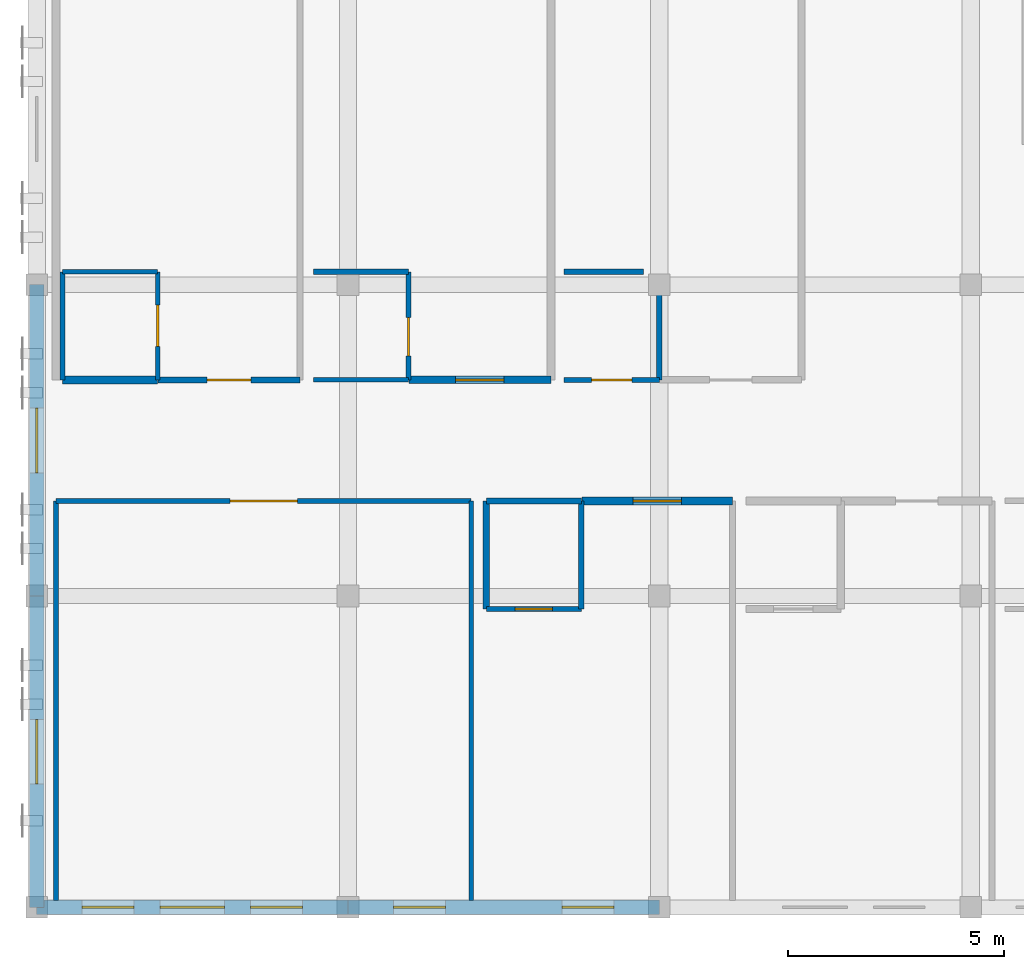
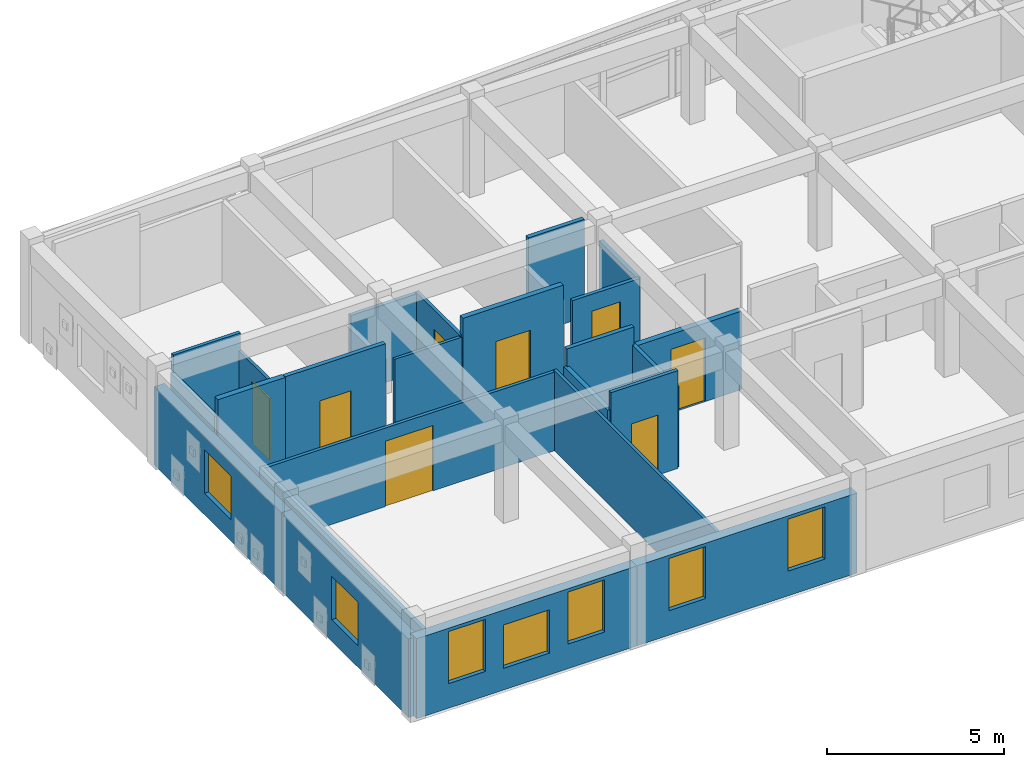
# One storey, part 25 of 34: 24 walls, 8 doors, 7 windows, 15 openings.
"""IFC4 building model written with IfcOpenShell, lengths in metres."""

from ifc_helpers import new_model, si_unit, direction, frame, frame_2d, origin, place, context, subcontext, project, spatial, rectangle, extrude, material, layer, layer_set, type_object, element, fill, save


model = new_model("IFC4")

# Units and contexts
model_context = context("Model", 3, precision=1e-05, world=origin(), true_north=direction((0.0, 1.0)))
body_context = subcontext(model_context, "Body", "Model", "MODEL_VIEW")
ifc_project = project(units=[si_unit("LENGTHUNIT", "METRE"), si_unit("AREAUNIT", "SQUARE_METRE"), si_unit("VOLUMEUNIT", "CUBIC_METRE"), si_unit("PLANEANGLEUNIT", "RADIAN"), si_unit("MASSUNIT", "GRAM", prefix="KILO")], contexts=[model_context])

# Site, building, storey
site_placement = place(None, origin())
site = spatial("IfcSite", under=ifc_project, at=site_placement, CompositionType="ELEMENT")
building_placement = place(site_placement, origin())
building = spatial("IfcBuilding", under=site, at=building_placement, Name="Carrowvane Square Congress Hotel", CompositionType="ELEMENT")
storey_placement = place(building_placement, frame((0.0, 0.0, 40.800048828125)))
storey = spatial("IfcBuildingStorey", under=building, at=storey_placement, Name="L10", CompositionType="ELEMENT", Elevation=40.800048828125)

# Wall, openings, windows
ifc_material_1 = material(Name="Glazed terracotta rainscreen", Category="masonry")
ifc_layer_1 = layer(ifc_material_1, 0.330078125)
ifc_layer_set_1 = layer_set([ifc_layer_1], Name="Glazed terracotta rainscreen")
wall_type_1 = type_object("IfcWallType", Name="WL-EXT-TC330", PredefinedType="STANDARD", material=ifc_layer_set_1)
wall_1_placement = place(storey_placement, frame((47.60009765625, 91.800048828125, 0.0), z_axis=(0.0, 0.0, 1.0), x_axis=(-1.0, 0.0, 0.0)))
wall_1 = element("IfcWall", 1, at=wall_1_placement, inside=storey, type_object=wall_type_1, Name="L10 exterior facade wall 599", PredefinedType="STANDARD", context=body_context, shape_type="SweptSolid", body=[
    extrude(rectangle(XDim=7.2001953125, YDim=0.330078125, at=frame_2d((3.60009765625, 0.0))), origin(), (0.0, 0.0, 1.0), 2.764892578125),
])
opening_1_placement = place(wall_1_placement, frame((1.050048828125, 0.0, 0.85009765625)))
opening_1 = element("IfcOpeningElement", 2, at=opening_1_placement, cuts=wall_1, Name="Opening W-01", PredefinedType="OPENING", context=body_context, shape_type="SweptSolid", body=[
    extrude(rectangle(XDim=1.199951171875, YDim=1.800048828125, at=frame_2d((0.60009765625, 0.89990234375))), frame((0.0, 0.175048828125, 0.0), z_axis=(0.0, -1.0, 0.0), x_axis=(1.0, 0.0, 0.0)), (0.0, 0.0, 1.0), 0.35009765625),
])
opening_2_placement = place(wall_1_placement, frame((4.949951171875, 0.0, 0.85009765625)))
opening_2 = element("IfcOpeningElement", 3, at=opening_2_placement, cuts=wall_1, Name="Opening W-01", PredefinedType="OPENING", context=body_context, shape_type="SweptSolid", body=[
    extrude(rectangle(XDim=1.199951171875, YDim=1.800048828125, at=frame_2d((0.60009765625, 0.89990234375))), frame((0.0, 0.175048828125, 0.0), z_axis=(0.0, -1.0, 0.0), x_axis=(1.0, 0.0, 0.0)), (0.0, 0.0, 1.0), 0.35009765625),
])
ifc_material_2 = material(Name="Double-glazed low-E glass", Category="glass")
window_type_1 = type_object("IfcWindowType", Name="WIN-01", PartitioningType="SINGLE_PANEL", PredefinedType="WINDOW", material=ifc_material_2)
window_1_placement = place(opening_1_placement, origin())
window_1 = element("IfcWindow", 4, at=window_1_placement, inside=storey, type_object=window_type_1, Name="L10 guest bedroom window 489", OverallHeight=1.800048828125, OverallWidth=1.199951171875, PartitioningType="SINGLE_PANEL", PredefinedType="WINDOW", context=body_context, shape_type="SweptSolid", body=[
    extrude(rectangle(XDim=1.199951171875, YDim=1.800048828125, at=frame_2d((0.60009765625, 0.89990234375))), frame((0.0, 0.030029296875, 0.0), z_axis=(0.0, -1.0, 0.0), x_axis=(1.0, 0.0, 0.0)), (0.0, 0.0, 1.0), 0.06005859375),
])
fill(opening_1, window_1)
window_2_placement = place(opening_2_placement, origin())
window_2 = element("IfcWindow", 5, at=window_2_placement, inside=storey, type_object=window_type_1, Name="L10 guest bedroom window 490", OverallHeight=1.800048828125, OverallWidth=1.199951171875, PartitioningType="SINGLE_PANEL", PredefinedType="WINDOW", context=body_context, shape_type="SweptSolid", body=[
    extrude(rectangle(XDim=1.199951171875, YDim=1.800048828125, at=frame_2d((0.60009765625, 0.89990234375))), frame((0.0, 0.030029296875, 0.0), z_axis=(0.0, -1.0, 0.0), x_axis=(1.0, 0.0, 0.0)), (0.0, 0.0, 1.0), 0.06005859375),
])
fill(opening_2, window_2)

wall_2_placement = place(storey_placement, frame((40.39990234375, 91.800048828125, 0.0), z_axis=(0.0, 0.0, 1.0), x_axis=(-1.0, 0.0, 0.0)))
wall_2 = element("IfcWall", 6, at=wall_2_placement, inside=storey, type_object=wall_type_1, Name="L10 exterior facade wall 600", PredefinedType="STANDARD", context=body_context, shape_type="SweptSolid", body=[
    extrude(rectangle(XDim=7.199951171875, YDim=0.330078125, at=frame_2d((3.60009765625, 0.0))), origin(), (0.0, 0.0, 1.0), 2.764892578125),
])
opening_3_placement = place(wall_2_placement, frame((2.85009765625, 0.0, 0.75)))
opening_3 = element("IfcOpeningElement", 7, at=opening_3_placement, cuts=wall_2, Name="Opening W-15", PredefinedType="OPENING", context=body_context, shape_type="SweptSolid", body=[
    extrude(rectangle(XDim=1.5, YDim=1.5, at=frame_2d((0.75, 0.75))), frame((0.0, 0.175048828125, 0.0), z_axis=(0.0, -1.0, 0.0), x_axis=(1.0, 0.0, 0.0)), (0.0, 0.0, 1.0), 0.35009765625),
])
opening_4_placement = place(wall_2_placement, frame((1.050048828125, 0.0, 0.85009765625)))
opening_4 = element("IfcOpeningElement", 8, at=opening_4_placement, cuts=wall_2, Name="Opening W-01", PredefinedType="OPENING", context=body_context, shape_type="SweptSolid", body=[
    extrude(rectangle(XDim=1.199951171875, YDim=1.800048828125, at=frame_2d((0.60009765625, 0.89990234375))), frame((0.0, 0.175048828125, 0.0), z_axis=(0.0, -1.0, 0.0), x_axis=(1.0, 0.0, 0.0)), (0.0, 0.0, 1.0), 0.35009765625),
])
opening_5_placement = place(wall_2_placement, frame((4.949951171875, 0.0, 0.85009765625)))
opening_5 = element("IfcOpeningElement", 9, at=opening_5_placement, cuts=wall_2, Name="Opening W-01", PredefinedType="OPENING", context=body_context, shape_type="SweptSolid", body=[
    extrude(rectangle(XDim=1.199951171875, YDim=1.800048828125, at=frame_2d((0.60009765625, 0.89990234375))), frame((0.0, 0.175048828125, 0.0), z_axis=(0.0, -1.0, 0.0), x_axis=(1.0, 0.0, 0.0)), (0.0, 0.0, 1.0), 0.35009765625),
])
window_3_placement = place(opening_4_placement, origin())
window_3 = element("IfcWindow", 10, at=window_3_placement, inside=storey, type_object=window_type_1, Name="L10 guest bedroom window 492", OverallHeight=1.800048828125, OverallWidth=1.199951171875, PartitioningType="SINGLE_PANEL", PredefinedType="WINDOW", context=body_context, shape_type="SweptSolid", body=[
    extrude(rectangle(XDim=1.199951171875, YDim=1.800048828125, at=frame_2d((0.60009765625, 0.89990234375))), frame((0.0, 0.030029296875, 0.0), z_axis=(0.0, -1.0, 0.0), x_axis=(1.0, 0.0, 0.0)), (0.0, 0.0, 1.0), 0.06005859375),
])
fill(opening_4, window_3)
window_4_placement = place(opening_5_placement, origin())
window_4 = element("IfcWindow", 11, at=window_4_placement, inside=storey, type_object=window_type_1, Name="L10 guest bedroom window 493", OverallHeight=1.800048828125, OverallWidth=1.199951171875, PartitioningType="SINGLE_PANEL", PredefinedType="WINDOW", context=body_context, shape_type="SweptSolid", body=[
    extrude(rectangle(XDim=1.199951171875, YDim=1.800048828125, at=frame_2d((0.60009765625, 0.89990234375))), frame((0.0, 0.030029296875, 0.0), z_axis=(0.0, -1.0, 0.0), x_axis=(1.0, 0.0, 0.0)), (0.0, 0.0, 1.0), 0.06005859375),
])
fill(opening_5, window_4)
ifc_material_3 = material(Name="Double-glazed low-E glass", Category="glass")
window_type_2 = type_object("IfcWindowType", Name="WIN-15", PartitioningType="SINGLE_PANEL", PredefinedType="WINDOW", material=ifc_material_3)
window_5_placement = place(opening_3_placement, origin())
window_5 = element("IfcWindow", 12, at=window_5_placement, inside=storey, type_object=window_type_2, Name="L10 facade window 491", OverallHeight=1.5, OverallWidth=1.5, PartitioningType="SINGLE_PANEL", PredefinedType="WINDOW", context=body_context, shape_type="SweptSolid", body=[
    extrude(rectangle(XDim=1.5, YDim=1.5, at=frame_2d((0.75, 0.75))), frame((0.0, 0.030029296875, 0.0), z_axis=(0.0, -1.0, 0.0), x_axis=(1.0, 0.0, 0.0)), (0.0, 0.0, 1.0), 0.06005859375),
])
fill(opening_3, window_5)

# Wall, opening, window
wall_3_placement = place(storey_placement, frame((33.199951171875, 91.800048828125, 0.0), z_axis=(0.0, 0.0, 1.0), x_axis=(0.0, 1.0, 0.0)))
wall_3 = element("IfcWall", 13, at=wall_3_placement, inside=storey, type_object=wall_type_1, Name="L10 exterior facade wall 601", PredefinedType="STANDARD", context=body_context, shape_type="SweptSolid", body=[
    extrude(rectangle(XDim=7.199951171875, YDim=0.330078125, at=frame_2d((3.60009765625, 0.0))), origin(), (0.0, 0.0, 1.0), 2.71484375),
])
opening_6_placement = place(wall_3_placement, frame((2.85009765625, 0.0, 0.75)))
opening_6 = element("IfcOpeningElement", 14, at=opening_6_placement, cuts=wall_3, Name="Opening W-15", PredefinedType="OPENING", context=body_context, shape_type="SweptSolid", body=[
    extrude(rectangle(XDim=1.5, YDim=1.5, at=frame_2d((0.75, 0.75))), frame((0.0, 0.175048828125, 0.0), z_axis=(0.0, -1.0, 0.0), x_axis=(1.0, 0.0, 0.0)), (0.0, 0.0, 1.0), 0.35009765625),
])
window_6_placement = place(opening_6_placement, origin())
window_6 = element("IfcWindow", 15, at=window_6_placement, inside=storey, type_object=window_type_2, Name="L10 facade window 494", OverallHeight=1.5, OverallWidth=1.5, PartitioningType="SINGLE_PANEL", PredefinedType="WINDOW", context=body_context, shape_type="SweptSolid", body=[
    extrude(rectangle(XDim=1.5, YDim=1.5, at=frame_2d((0.75, 0.75))), frame((0.0, 0.030029296875, 0.0), z_axis=(0.0, -1.0, 0.0), x_axis=(1.0, 0.0, 0.0)), (0.0, 0.0, 1.0), 0.06005859375),
])
fill(opening_6, window_6)

wall_4_placement = place(storey_placement, frame((33.199951171875, 99.0, 0.0), z_axis=(0.0, 0.0, 1.0), x_axis=(0.0, 1.0, 0.0)))
wall_4 = element("IfcWall", 16, at=wall_4_placement, inside=storey, type_object=wall_type_1, Name="L10 exterior facade wall 602", PredefinedType="STANDARD", context=body_context, shape_type="SweptSolid", body=[
    extrude(rectangle(XDim=7.199951171875, YDim=0.330078125, at=frame_2d((3.60009765625, 0.0))), origin(), (0.0, 0.0, 1.0), 2.71484375),
])
opening_7_placement = place(wall_4_placement, frame((2.85009765625, 0.0, 0.75)))
opening_7 = element("IfcOpeningElement", 17, at=opening_7_placement, cuts=wall_4, Name="Opening W-15", PredefinedType="OPENING", context=body_context, shape_type="SweptSolid", body=[
    extrude(rectangle(XDim=1.5, YDim=1.5, at=frame_2d((0.75, 0.75))), frame((0.0, 0.175048828125, 0.0), z_axis=(0.0, -1.0, 0.0), x_axis=(1.0, 0.0, 0.0)), (0.0, 0.0, 1.0), 0.35009765625),
])
window_7_placement = place(opening_7_placement, origin())
window_7 = element("IfcWindow", 18, at=window_7_placement, inside=storey, type_object=window_type_2, Name="L10 facade window 495", OverallHeight=1.5, OverallWidth=1.5, PartitioningType="SINGLE_PANEL", PredefinedType="WINDOW", context=body_context, shape_type="SweptSolid", body=[
    extrude(rectangle(XDim=1.5, YDim=1.5, at=frame_2d((0.75, 0.75))), frame((0.0, 0.030029296875, 0.0), z_axis=(0.0, -1.0, 0.0), x_axis=(1.0, 0.0, 0.0)), (0.0, 0.0, 1.0), 0.06005859375),
])
fill(opening_7, window_7)

# Wall, opening, door
ifc_material_4 = material(Name="Acoustic gypsum board", Category="gypsum")
ifc_layer_2 = layer(ifc_material_4, 0.169921875)
ifc_layer_set_2 = layer_set([ifc_layer_2], Name="Acoustic gypsum board")
wall_type_2 = type_object("IfcWallType", Name="WL-FIR-170", PredefinedType="PARTITIONING", material=ifc_layer_set_2)
wall_5_placement = place(storey_placement, frame((45.090087890625, 104.0, 0.0), z_axis=(0.0, 0.0, 1.0), x_axis=(-1.0, 0.0, 0.0)))
wall_5 = element("IfcWall", 19, at=wall_5_placement, inside=storey, type_object=wall_type_2, Name="L10 Parkview Suite 1006 partition", PredefinedType="PARTITIONING", context=body_context, shape_type="SweptSolid", body=[
    extrude(rectangle(XDim=3.280029296875, YDim=0.169921875, at=frame_2d((1.64013671875, 0.0))), origin(), (0.0, 0.0, 1.0), 3.3798828125),
])
opening_8_placement = place(wall_5_placement, frame((1.080078125, 0.0, 0.0)))
opening_8 = element("IfcOpeningElement", 20, at=opening_8_placement, cuts=wall_5, Name="Opening FD-10", PredefinedType="OPENING", context=body_context, shape_type="SweptSolid", body=[
    extrude(rectangle(XDim=1.1201171875, YDim=2.199951171875, at=frame_2d((0.56005859375, 1.10009765625))), frame((0.0, 0.094970703125, 0.0), z_axis=(0.0, -1.0, 0.0), x_axis=(1.0, 0.0, 0.0)), (0.0, 0.0, 1.0), 0.18994140625),
])
ifc_material_5 = material(Name="European oak timber", Category="wood")
door_type_1 = type_object("IfcDoorType", Name="DR-FD30-1120x2200", OperationType="NOTDEFINED", PredefinedType="DOOR", material=ifc_material_5)
door_1_placement = place(opening_8_placement, origin())
door_1 = element("IfcDoor", 21, at=door_1_placement, inside=storey, type_object=door_type_1, Name="L10 Parkview Suite 1006 entrance door", OperationType="SINGLE_SWING_LEFT", OverallHeight=2.199951171875, OverallWidth=1.1201171875, PredefinedType="DOOR", context=body_context, shape_type="SweptSolid", body=[
    extrude(rectangle(XDim=1.1201171875, YDim=2.199951171875, at=frame_2d((0.56005859375, 1.10009765625))), frame((0.0, 0.02490234375, 0.0), z_axis=(0.0, -1.0, 0.0), x_axis=(1.0, 0.0, 0.0)), (0.0, 0.0, 1.0), 0.050048828125),
])
fill(opening_8, door_1)

ifc_material_6 = material(Name="Acoustic gypsum board", Category="gypsum")
ifc_layer_3 = layer(ifc_material_6, 0.18505859375)
ifc_layer_set_3 = layer_set([ifc_layer_3], Name="Acoustic gypsum board")
wall_type_3 = type_object("IfcWallType", Name="WL-FIR-185", PredefinedType="PARTITIONING", material=ifc_layer_set_3)
wall_6_placement = place(storey_placement, frame((45.81005859375, 101.199951171875, 0.0), z_axis=(0.0, 0.0, 1.0), x_axis=(1.0, 0.0, 0.0)))
wall_6 = element("IfcWall", 22, at=wall_6_placement, inside=storey, type_object=wall_type_3, Name="L10 Hotel Suite 1001 partition", PredefinedType="PARTITIONING", context=body_context, shape_type="SweptSolid", body=[
    extrude(rectangle(XDim=3.47998046875, YDim=0.18505859375, at=frame_2d((1.739990234375, 0.0))), origin(), (0.0, 0.0, 1.0), 2.71484375),
])
opening_9_placement = place(wall_6_placement, frame((1.179931640625, 0.0, 0.0)))
opening_9 = element("IfcOpeningElement", 23, at=opening_9_placement, cuts=wall_6, Name="Opening FD-10", PredefinedType="OPENING", context=body_context, shape_type="SweptSolid", body=[
    extrude(rectangle(XDim=1.1201171875, YDim=2.199951171875, at=frame_2d((0.56005859375, 1.10009765625))), frame((0.0, 0.1025390625, 0.0), z_axis=(0.0, -1.0, 0.0), x_axis=(1.0, 0.0, 0.0)), (0.0, 0.0, 1.0), 0.205078125),
])
door_2_placement = place(opening_9_placement, origin())
door_2 = element("IfcDoor", 24, at=door_2_placement, inside=storey, type_object=door_type_1, Name="L10 Hotel Suite 1001 entrance door", OperationType="SINGLE_SWING_LEFT", OverallHeight=2.199951171875, OverallWidth=1.1201171875, PredefinedType="DOOR", context=body_context, shape_type="SweptSolid", body=[
    extrude(rectangle(XDim=1.1201171875, YDim=2.199951171875, at=frame_2d((0.56005859375, 1.10009765625))), frame((0.0, 0.02490234375, 0.0), z_axis=(0.0, -1.0, 0.0), x_axis=(1.0, 0.0, 0.0)), (0.0, 0.0, 1.0), 0.050048828125),
])
fill(opening_9, door_2)

# Walls
wall_7_placement = place(storey_placement, frame((36.0, 104.0, 0.0), z_axis=(0.0, 0.0, 1.0), x_axis=(-1.0, 0.0, 0.0)))
element("IfcWall", 25, at=wall_7_placement, inside=storey, type_object=wall_type_3, Name="L10 En-suite Bathroom 1005 partition", PredefinedType="PARTITIONING", context=body_context, shape_type="SweptSolid", body=[
    extrude(rectangle(XDim=2.199951171875, YDim=0.18505859375, at=frame_2d((1.10009765625, 0.0))), origin(), (0.0, 0.0, 1.0), 3.3798828125),
])
ifc_material_7 = material(Name="Acoustic gypsum board", Category="gypsum")
ifc_layer_4 = layer(ifc_material_7, 0.097900390625)
ifc_layer_set_4 = layer_set([ifc_layer_4], Name="Acoustic gypsum board")
wall_type_4 = type_object("IfcWallType", Name="WL-PRT-098", PredefinedType="PARTITIONING", material=ifc_layer_set_4)
wall_8_placement = place(storey_placement, frame((43.25, 101.199951171875, 0.0), z_axis=(0.0, 0.0, 1.0), x_axis=(0.0, -1.0, 0.0)))
element("IfcWall", 26, at=wall_8_placement, inside=storey, type_object=wall_type_4, Name="L10 L10 Penthouse West Terrace Salon partition", PredefinedType="PARTITIONING", context=body_context, shape_type="SweptSolid", body=[
    extrude(rectangle(XDim=9.239990234375, YDim=0.097900390625, at=frame_2d((4.6201171875, 0.0))), origin(), (0.0, 0.0, 1.0), 2.764892578125),
])

# Wall, opening, door
wall_9_placement = place(storey_placement, frame((36.0, 106.5, 0.0), z_axis=(0.0, 0.0, 1.0), x_axis=(0.0, -1.0, 0.0)))
wall_9 = element("IfcWall", 27, at=wall_9_placement, inside=storey, type_object=wall_type_4, Name="L10 En-suite Bathroom 1005 partition", PredefinedType="PARTITIONING", context=body_context, shape_type="SweptSolid", body=[
    extrude(rectangle(XDim=2.5, YDim=0.097900390625, at=frame_2d((1.25, 0.0))), origin(), (0.0, 0.0, 1.0), 2.764892578125),
])
opening_10_placement = place(wall_9_placement, frame((0.77001953125, 0.0, 0.0)))
opening_10 = element("IfcOpeningElement", 28, at=opening_10_placement, cuts=wall_9, Name="Opening ID-05", PredefinedType="OPENING", context=body_context, shape_type="SweptSolid", body=[
    extrude(rectangle(XDim=0.9599609375, YDim=2.139892578125, at=frame_2d((0.47998046875, 1.06982421875))), frame((0.0, 0.058837890625, 0.0), z_axis=(0.0, -1.0, 0.0), x_axis=(1.0, 0.0, 0.0)), (0.0, 0.0, 1.0), 0.117919921875),
])
ifc_material_8 = material(Name="European oak timber", Category="wood")
door_type_2 = type_object("IfcDoorType", Name="DR-INT-0960x2140", OperationType="NOTDEFINED", PredefinedType="DOOR", material=ifc_material_8)
door_3_placement = place(opening_10_placement, origin())
door_3 = element("IfcDoor", 29, at=door_3_placement, inside=storey, type_object=door_type_2, Name="L10 En-suite Bathroom 1005 door", OperationType="SINGLE_SWING_RIGHT", OverallHeight=2.139892578125, OverallWidth=0.9599609375, PredefinedType="DOOR", context=body_context, shape_type="SweptSolid", body=[
    extrude(rectangle(XDim=0.9599609375, YDim=2.139892578125, at=frame_2d((0.47998046875, 1.06982421875))), frame((0.0, 0.02490234375, 0.0), z_axis=(0.0, -1.0, 0.0), x_axis=(1.0, 0.0, 0.0)), (0.0, 0.0, 1.0), 0.050048828125),
])
fill(opening_10, door_3)

# Wall
wall_10_placement = place(storey_placement, frame((41.800048828125, 104.0, 0.0), z_axis=(0.0, 0.0, 1.0), x_axis=(-1.0, 0.0, 0.0)))
element("IfcWall", 30, at=wall_10_placement, inside=storey, type_object=wall_type_4, Name="L10 En-suite Bathroom 1006 partition", PredefinedType="PARTITIONING", context=body_context, shape_type="SweptSolid", body=[
    extrude(rectangle(XDim=2.199951171875, YDim=0.097900390625, at=frame_2d((1.10009765625, 0.0))), origin(), (0.0, 0.0, 1.0), 2.71484375),
])

# Wall, opening, door
ifc_material_9 = material(Name="Acoustic gypsum board", Category="gypsum")
ifc_layer_5 = layer(ifc_material_9, 0.10791015625)
ifc_layer_set_5 = layer_set([ifc_layer_5], Name="Acoustic gypsum board")
wall_type_5 = type_object("IfcWallType", Name="WL-PRT-108", PredefinedType="PARTITIONING", material=ifc_layer_set_5)
wall_11_placement = place(storey_placement, frame((33.64990234375, 101.199951171875, 0.0), z_axis=(0.0, 0.0, 1.0), x_axis=(1.0, 0.0, 0.0)))
wall_11 = element("IfcWall", 31, at=wall_11_placement, inside=storey, type_object=wall_type_5, Name="L10 L10 Penthouse West Terrace Salon partition", PredefinedType="PARTITIONING", context=body_context, shape_type="SweptSolid", body=[
    extrude(rectangle(XDim=9.60009765625, YDim=0.10791015625, at=frame_2d((4.800048828125, 0.0))), origin(), (0.0, 0.0, 1.0), 2.71484375),
])
opening_11_placement = place(wall_11_placement, frame((4.02001953125, 0.0, 0.0)))
opening_11 = element("IfcOpeningElement", 32, at=opening_11_placement, cuts=wall_11, Name="Opening ID-26", PredefinedType="OPENING", context=body_context, shape_type="SweptSolid", body=[
    extrude(rectangle(XDim=1.56005859375, YDim=2.260009765625, at=frame_2d((0.780029296875, 1.1298828125))), frame((0.0, 0.06396484375, 0.0), z_axis=(0.0, -1.0, 0.0), x_axis=(1.0, 0.0, 0.0)), (0.0, 0.0, 1.0), 0.1279296875),
])
ifc_material_10 = material(Name="European oak timber", Category="wood")
door_type_3 = type_object("IfcDoorType", Name="DR-INT-1560x2260", OperationType="DOUBLE_DOOR_SINGLE_SWING", PredefinedType="DOOR", material=ifc_material_10)
door_4_placement = place(opening_11_placement, origin())
door_4 = element("IfcDoor", 33, at=door_4_placement, inside=storey, type_object=door_type_3, Name="L10 L10 Penthouse West Terrace Salon entrance door", OperationType="DOUBLE_DOOR_SINGLE_SWING", OverallHeight=2.260009765625, OverallWidth=1.56005859375, PredefinedType="DOOR", context=body_context, shape_type="SweptSolid", body=[
    extrude(rectangle(XDim=1.56005859375, YDim=2.260009765625, at=frame_2d((0.780029296875, 1.1298828125))), frame((0.0, 0.02490234375, 0.0), z_axis=(0.0, -1.0, 0.0), x_axis=(1.0, 0.0, 0.0)), (0.0, 0.0, 1.0), 0.050048828125),
])
fill(opening_11, door_4)

# Wall
wall_12_placement = place(storey_placement, frame((33.800048828125, 106.5, 0.0), z_axis=(0.0, 0.0, 1.0), x_axis=(1.0, 0.0, 0.0)))
element("IfcWall", 34, at=wall_12_placement, inside=storey, type_object=wall_type_5, Name="L10 En-suite Bathroom 1005 partition", PredefinedType="PARTITIONING", context=body_context, shape_type="SweptSolid", body=[
    extrude(rectangle(XDim=2.199951171875, YDim=0.10791015625, at=frame_2d((1.10009765625, 0.0))), origin(), (0.0, 0.0, 1.0), 3.3798828125),
])

# Wall, opening, door
wall_13_placement = place(storey_placement, frame((41.800048828125, 106.5, 0.0), z_axis=(0.0, 0.0, 1.0), x_axis=(0.0, -1.0, 0.0)))
wall_13 = element("IfcWall", 35, at=wall_13_placement, inside=storey, type_object=wall_type_5, Name="L10 En-suite Bathroom 1006 partition", PredefinedType="PARTITIONING", context=body_context, shape_type="SweptSolid", body=[
    extrude(rectangle(XDim=2.5, YDim=0.10791015625, at=frame_2d((1.25, 0.0))), origin(), (0.0, 0.0, 1.0), 2.764892578125),
])
opening_12_placement = place(wall_13_placement, frame((1.054931640625, 0.0, 0.0)))
opening_12 = element("IfcOpeningElement", 36, at=opening_12_placement, cuts=wall_13, Name="Opening ID-16", PredefinedType="OPENING", context=body_context, shape_type="SweptSolid", body=[
    extrude(rectangle(XDim=0.889892578125, YDim=2.090087890625, at=frame_2d((0.44482421875, 1.044921875))), frame((0.0, 0.06396484375, 0.0), z_axis=(0.0, -1.0, 0.0), x_axis=(1.0, 0.0, 0.0)), (0.0, 0.0, 1.0), 0.1279296875),
])
ifc_material_11 = material(Name="European oak timber", Category="wood")
door_type_4 = type_object("IfcDoorType", Name="DR-INT-0890x2090", OperationType="NOTDEFINED", PredefinedType="DOOR", material=ifc_material_11)
door_5_placement = place(opening_12_placement, origin())
door_5 = element("IfcDoor", 37, at=door_5_placement, inside=storey, type_object=door_type_4, Name="L10 En-suite Bathroom 1006 door", OperationType="SINGLE_SWING_RIGHT", OverallHeight=2.090087890625, OverallWidth=0.889892578125, PredefinedType="DOOR", context=body_context, shape_type="SweptSolid", body=[
    extrude(rectangle(XDim=0.889892578125, YDim=2.090087890625, at=frame_2d((0.44482421875, 1.044921875))), frame((0.0, 0.02490234375, 0.0), z_axis=(0.0, -1.0, 0.0), x_axis=(1.0, 0.0, 0.0)), (0.0, 0.0, 1.0), 0.050048828125),
])
fill(opening_12, door_5)

# Wall
ifc_material_12 = material(Name="Acoustic gypsum board", Category="gypsum")
ifc_layer_6 = layer(ifc_material_12, 0.117919921875)
ifc_layer_set_6 = layer_set([ifc_layer_6], Name="Acoustic gypsum board")
wall_type_6 = type_object("IfcWallType", Name="WL-PRT-118", PredefinedType="PARTITIONING", material=ifc_layer_set_6)
wall_14_placement = place(storey_placement, frame((33.64990234375, 91.9599609375, 0.0), z_axis=(0.0, 0.0, 1.0), x_axis=(0.0, 1.0, 0.0)))
element("IfcWall", 38, at=wall_14_placement, inside=storey, type_object=wall_type_6, Name="L10 L10 Penthouse West Terrace Salon partition", PredefinedType="PARTITIONING", context=body_context, shape_type="SweptSolid", body=[
    extrude(rectangle(XDim=9.239990234375, YDim=0.117919921875, at=frame_2d((4.6201171875, 0.0))), origin(), (0.0, 0.0, 1.0), 2.764892578125),
])

# Wall, opening, door
wall_15_placement = place(storey_placement, frame((45.800048828125, 98.699951171875, 0.0), z_axis=(0.0, 0.0, 1.0), x_axis=(-1.0, 0.0, 0.0)))
wall_15 = element("IfcWall", 39, at=wall_15_placement, inside=storey, type_object=wall_type_6, Name="L10 En-suite Bathroom 1001 partition", PredefinedType="PARTITIONING", context=body_context, shape_type="SweptSolid", body=[
    extrude(rectangle(XDim=2.199951171875, YDim=0.117919921875, at=frame_2d((1.10009765625, 0.0))), origin(), (0.0, 0.0, 1.0), 3.3798828125),
])
opening_13_placement = place(wall_15_placement, frame((0.6650390625, 0.0, 0.0)))
opening_13 = element("IfcOpeningElement", 40, at=opening_13_placement, cuts=wall_15, Name="Opening ID-15", PredefinedType="OPENING", context=body_context, shape_type="SweptSolid", body=[
    extrude(rectangle(XDim=0.8701171875, YDim=2.070068359375, at=frame_2d((0.43505859375, 1.03515625))), frame((0.0, 0.06884765625, 0.0), z_axis=(0.0, -1.0, 0.0), x_axis=(1.0, 0.0, 0.0)), (0.0, 0.0, 1.0), 0.137939453125),
])
ifc_material_13 = material(Name="European oak timber", Category="wood")
door_type_5 = type_object("IfcDoorType", Name="DR-INT-0870x2070", OperationType="NOTDEFINED", PredefinedType="DOOR", material=ifc_material_13)
door_6_placement = place(opening_13_placement, origin())
door_6 = element("IfcDoor", 41, at=door_6_placement, inside=storey, type_object=door_type_5, Name="L10 En-suite Bathroom 1001 door", OperationType="SINGLE_SWING_RIGHT", OverallHeight=2.070068359375, OverallWidth=0.8701171875, PredefinedType="DOOR", context=body_context, shape_type="SweptSolid", body=[
    extrude(rectangle(XDim=0.8701171875, YDim=2.070068359375, at=frame_2d((0.43505859375, 1.03515625))), frame((0.0, 0.02490234375, 0.0), z_axis=(0.0, -1.0, 0.0), x_axis=(1.0, 0.0, 0.0)), (0.0, 0.0, 1.0), 0.050048828125),
])
fill(opening_13, door_6)

# Walls
wall_16_placement = place(storey_placement, frame((33.800048828125, 104.0, 0.0), z_axis=(0.0, 0.0, 1.0), x_axis=(0.0, 1.0, 0.0)))
element("IfcWall", 42, at=wall_16_placement, inside=storey, type_object=wall_type_6, Name="L10 En-suite Bathroom 1005 partition", PredefinedType="PARTITIONING", context=body_context, shape_type="SweptSolid", body=[
    extrude(rectangle(XDim=2.5, YDim=0.117919921875, at=frame_2d((1.25, 0.0))), origin(), (0.0, 0.0, 1.0), 2.764892578125),
])
wall_17_placement = place(storey_placement, frame((39.60009765625, 106.5, 0.0), z_axis=(0.0, 0.0, 1.0), x_axis=(1.0, 0.0, 0.0)))
element("IfcWall", 43, at=wall_17_placement, inside=storey, type_object=wall_type_6, Name="L10 En-suite Bathroom 1006 partition", PredefinedType="PARTITIONING", context=body_context, shape_type="SweptSolid", body=[
    extrude(rectangle(XDim=2.199951171875, YDim=0.117919921875, at=frame_2d((1.10009765625, 0.0))), origin(), (0.0, 0.0, 1.0), 2.71484375),
])

# Wall, opening, door
wall_18_placement = place(storey_placement, frame((47.60009765625, 104.0, 0.0), z_axis=(0.0, 0.0, 1.0), x_axis=(-1.0, 0.0, 0.0)))
wall_18 = element("IfcWall", 44, at=wall_18_placement, inside=storey, type_object=wall_type_6, Name="L10 En-suite Bathroom 1007 partition", PredefinedType="PARTITIONING", context=body_context, shape_type="SweptSolid", body=[
    extrude(rectangle(XDim=2.2001953125, YDim=0.117919921875, at=frame_2d((1.10009765625, 0.0))), origin(), (0.0, 0.0, 1.0), 2.71484375),
])
opening_14_placement = place(wall_18_placement, frame((0.635009765625, 0.0, 0.0)))
opening_14 = element("IfcOpeningElement", 45, at=opening_14_placement, cuts=wall_18, Name="Opening ID-18", PredefinedType="OPENING", context=body_context, shape_type="SweptSolid", body=[
    extrude(rectangle(XDim=0.929931640625, YDim=2.1298828125, at=frame_2d((0.46484375, 1.06494140625))), frame((0.0, 0.06884765625, 0.0), z_axis=(0.0, -1.0, 0.0), x_axis=(1.0, 0.0, 0.0)), (0.0, 0.0, 1.0), 0.137939453125),
])
ifc_material_14 = material(Name="European oak timber", Category="wood")
door_type_6 = type_object("IfcDoorType", Name="DR-INT-0930x2130", OperationType="NOTDEFINED", PredefinedType="DOOR", material=ifc_material_14)
door_7_placement = place(opening_14_placement, origin())
door_7 = element("IfcDoor", 46, at=door_7_placement, inside=storey, type_object=door_type_6, Name="L10 En-suite Bathroom 1007 door", OperationType="SINGLE_SWING_RIGHT", OverallHeight=2.1298828125, OverallWidth=0.929931640625, PredefinedType="DOOR", context=body_context, shape_type="SweptSolid", body=[
    extrude(rectangle(XDim=0.929931640625, YDim=2.1298828125, at=frame_2d((0.46484375, 1.06494140625))), frame((0.0, 0.02490234375, 0.0), z_axis=(0.0, -1.0, 0.0), x_axis=(1.0, 0.0, 0.0)), (0.0, 0.0, 1.0), 0.050048828125),
])
fill(opening_14, door_7)

# Walls
ifc_material_15 = material(Name="Acoustic gypsum board", Category="gypsum")
ifc_layer_7 = layer(ifc_material_15, 0.1279296875)
ifc_layer_set_7 = layer_set([ifc_layer_7], Name="Acoustic gypsum board")
wall_type_7 = type_object("IfcWallType", Name="WL-PRT-128", PredefinedType="PARTITIONING", material=ifc_layer_set_7)
wall_19_placement = place(storey_placement, frame((45.800048828125, 101.199951171875, 0.0), z_axis=(0.0, 0.0, 1.0), x_axis=(0.0, -1.0, 0.0)))
element("IfcWall", 47, at=wall_19_placement, inside=storey, type_object=wall_type_7, Name="L10 En-suite Bathroom 1001 partition", PredefinedType="PARTITIONING", context=body_context, shape_type="SweptSolid", body=[
    extrude(rectangle(XDim=2.5, YDim=0.1279296875, at=frame_2d((1.25, 0.0))), origin(), (0.0, 0.0, 1.0), 2.764892578125),
])
wall_20_placement = place(storey_placement, frame((47.60009765625, 106.139892578125, 0.0), z_axis=(0.0, 0.0, 1.0), x_axis=(0.0, -1.0, 0.0)))
element("IfcWall", 48, at=wall_20_placement, inside=storey, type_object=wall_type_7, Name="L10 En-suite Bathroom 1007 partition", PredefinedType="PARTITIONING", context=body_context, shape_type="SweptSolid", body=[
    extrude(rectangle(XDim=2.139892578125, YDim=0.1279296875, at=frame_2d((1.06982421875, 0.0))), origin(), (0.0, 0.0, 1.0), 2.71484375),
])
ifc_material_16 = material(Name="Acoustic gypsum board", Category="gypsum")
ifc_layer_8 = layer(ifc_material_16, 0.137939453125)
ifc_layer_set_8 = layer_set([ifc_layer_8], Name="Acoustic gypsum board")
wall_type_8 = type_object("IfcWallType", Name="WL-PRT-138", PredefinedType="PARTITIONING", material=ifc_layer_set_8)
wall_21_placement = place(storey_placement, frame((43.60009765625, 101.199951171875, 0.0), z_axis=(0.0, 0.0, 1.0), x_axis=(1.0, 0.0, 0.0)))
element("IfcWall", 49, at=wall_21_placement, inside=storey, type_object=wall_type_8, Name="L10 En-suite Bathroom 1001 partition", PredefinedType="PARTITIONING", context=body_context, shape_type="SweptSolid", body=[
    extrude(rectangle(XDim=2.199951171875, YDim=0.137939453125, at=frame_2d((1.10009765625, 0.0))), origin(), (0.0, 0.0, 1.0), 3.3798828125),
])

# Wall, opening, door
wall_22_placement = place(storey_placement, frame((39.2900390625, 104.0, 0.0), z_axis=(0.0, 0.0, 1.0), x_axis=(-1.0, 0.0, 0.0)))
wall_22 = element("IfcWall", 50, at=wall_22_placement, inside=storey, type_object=wall_type_8, Name="L10 Parkview Suite 1005 partition", PredefinedType="PARTITIONING", context=body_context, shape_type="SweptSolid", body=[
    extrude(rectangle(XDim=3.280029296875, YDim=0.137939453125, at=frame_2d((1.64013671875, 0.0))), origin(), (0.0, 0.0, 1.0), 3.3798828125),
])
opening_15_placement = place(wall_22_placement, frame((1.1298828125, 0.0, 0.0)))
opening_15 = element("IfcOpeningElement", 51, at=opening_15_placement, cuts=wall_22, Name="Opening FD-08", PredefinedType="OPENING", context=body_context, shape_type="SweptSolid", body=[
    extrude(rectangle(XDim=1.02001953125, YDim=2.14990234375, at=frame_2d((0.510009765625, 1.074951171875))), frame((0.0, 0.078857421875, 0.0), z_axis=(0.0, -1.0, 0.0), x_axis=(1.0, 0.0, 0.0)), (0.0, 0.0, 1.0), 0.157958984375),
])
ifc_material_17 = material(Name="European oak timber", Category="wood")
door_type_7 = type_object("IfcDoorType", Name="DR-FD30-1020x2150", OperationType="NOTDEFINED", PredefinedType="DOOR", material=ifc_material_17)
door_8_placement = place(opening_15_placement, origin())
door_8 = element("IfcDoor", 52, at=door_8_placement, inside=storey, type_object=door_type_7, Name="L10 Parkview Suite 1005 entrance door", OperationType="SINGLE_SWING_LEFT", OverallHeight=2.14990234375, OverallWidth=1.02001953125, PredefinedType="DOOR", context=body_context, shape_type="SweptSolid", body=[
    extrude(rectangle(XDim=1.02001953125, YDim=2.14990234375, at=frame_2d((0.510009765625, 1.074951171875))), frame((0.0, 0.02490234375, 0.0), z_axis=(0.0, -1.0, 0.0), x_axis=(1.0, 0.0, 0.0)), (0.0, 0.0, 1.0), 0.050048828125),
])
fill(opening_15, door_8)

# Walls
wall_23_placement = place(storey_placement, frame((45.39990234375, 106.5, 0.0), z_axis=(0.0, 0.0, 1.0), x_axis=(1.0, 0.0, 0.0)))
element("IfcWall", 53, at=wall_23_placement, inside=storey, type_object=wall_type_8, Name="L10 En-suite Bathroom 1007 partition", PredefinedType="PARTITIONING", context=body_context, shape_type="SweptSolid", body=[
    extrude(rectangle(XDim=1.840087890625, YDim=0.137939453125, at=frame_2d((0.919921875, 0.0))), origin(), (0.0, 0.0, 1.0), 3.3798828125),
])
ifc_material_18 = material(Name="Acoustic gypsum board", Category="gypsum")
ifc_layer_9 = layer(ifc_material_18, 0.14794921875)
ifc_layer_set_9 = layer_set([ifc_layer_9], Name="Acoustic gypsum board")
wall_type_9 = type_object("IfcWallType", Name="WL-PRT-148", PredefinedType="PARTITIONING", material=ifc_layer_set_9)
wall_24_placement = place(storey_placement, frame((43.60009765625, 98.699951171875, 0.0), z_axis=(0.0, 0.0, 1.0), x_axis=(0.0, 1.0, 0.0)))
element("IfcWall", 54, at=wall_24_placement, inside=storey, type_object=wall_type_9, Name="L10 En-suite Bathroom 1001 partition", PredefinedType="PARTITIONING", context=body_context, shape_type="SweptSolid", body=[
    extrude(rectangle(XDim=2.5, YDim=0.14794921875, at=frame_2d((1.25, 0.0))), origin(), (0.0, 0.0, 1.0), 2.764892578125),
])

save(model, "model.ifc")
